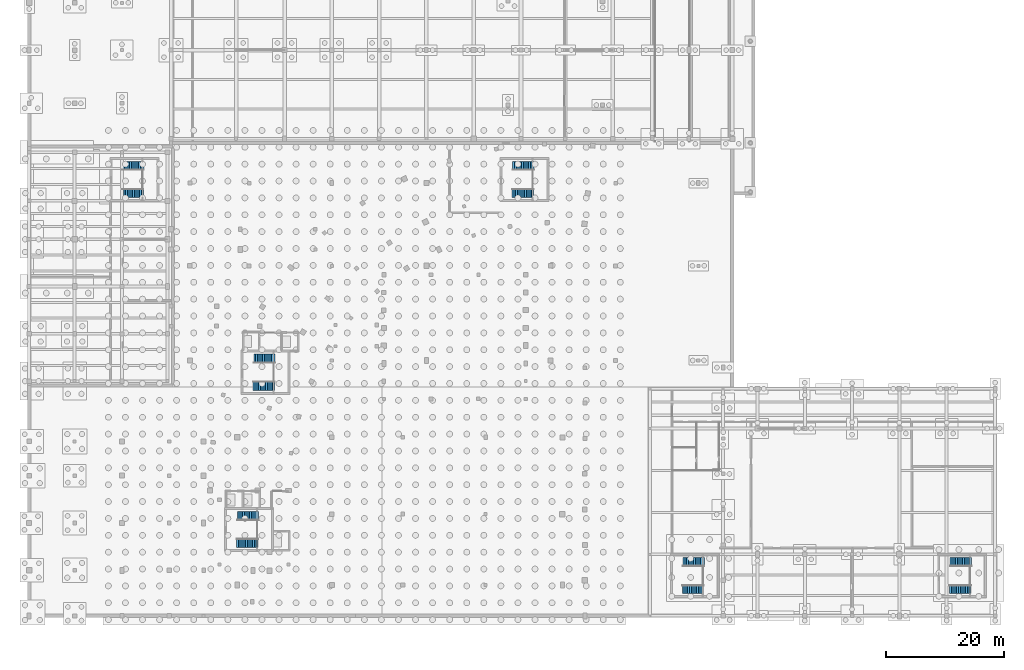
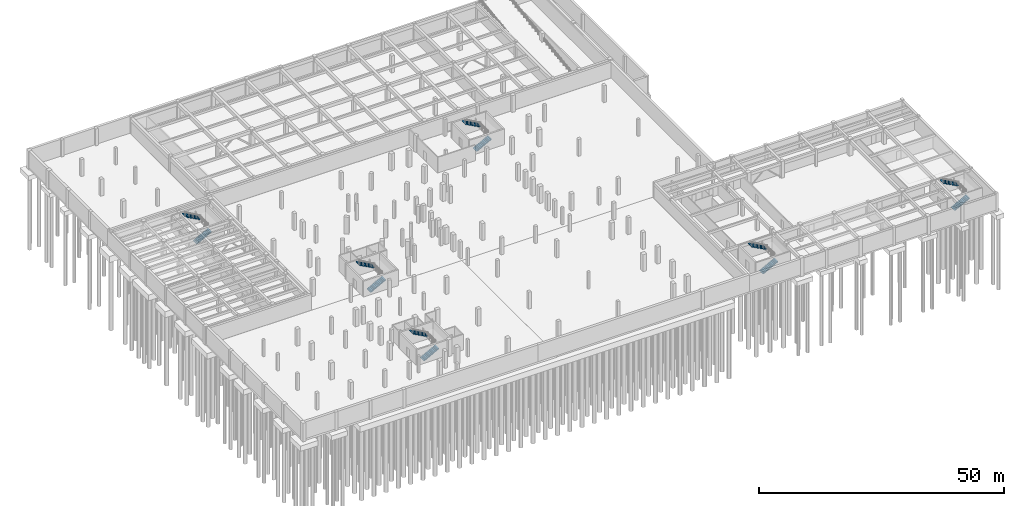
# One storey, part 30 of 36: 12 stair flights, 6 elements without a shape of their own.
"""IFC4 building model written with IfcOpenShell, lengths in metres."""

from ifc_helpers import new_model, si_unit, direction, frame, origin, place, context, subcontext, project, spatial, polyline, outline, extrude, material, type_object, element, aggregate, save


model = new_model("IFC4")

# Units and contexts
model_context = context("Model", 3, precision=1e-05, world=origin(), true_north=direction((0.0, 1.0)))
body_context = subcontext(model_context, "Body", "Model", "MODEL_VIEW")
ifc_project = project(units=[si_unit("LENGTHUNIT", "METRE"), si_unit("AREAUNIT", "SQUARE_METRE"), si_unit("VOLUMEUNIT", "CUBIC_METRE"), si_unit("PLANEANGLEUNIT", "RADIAN"), si_unit("MASSUNIT", "GRAM", prefix="KILO"), si_unit("THERMODYNAMICTEMPERATUREUNIT", "KELVIN"), si_unit("POWERUNIT", "WATT")], contexts=[model_context])

# Site, building, storey
site_placement = place(None, origin())
site = spatial("IfcSite", under=ifc_project, at=site_placement, CompositionType="ELEMENT")
building_placement = place(site_placement, origin())
building = spatial("IfcBuilding", under=site, at=building_placement, Name="Solvatero Civic Police Headquarters", CompositionType="ELEMENT")
storey_placement = place(building_placement, frame((0.0, 0.0, -8.39990234375)))
storey = spatial("IfcBuildingStorey", under=building, at=storey_placement, Name="B02", CompositionType="ELEMENT", Elevation=-8.39990234375)

# Stair, stair flights
ifc_material = material(Name="Precast concrete C40/50", Category="concrete")
stair_type_1 = type_object("IfcStairType", Name="STR-C145-420", PredefinedType="HALF_TURN_STAIR", material=ifc_material)
stair_1_placement = place(storey_placement, origin())
stair_1 = element("IfcStair", 1, at=stair_1_placement, inside=storey, type_object=stair_type_1, Name="Protected Exit Stair ST-C3 (B02 to B01)", PredefinedType="HALF_TURN_STAIR")
stair_flight_type_1 = type_object("IfcStairFlightType", Name="SFL-STR-C145-420", PredefinedType="STRAIGHT", material=ifc_material)
stair_flight_1_placement = place(storey_placement, frame((86.5, 76.27490234375, 0.0), z_axis=(0.0, 0.0, 1.0), x_axis=(1.0, 0.0, 0.0)))
stair_flight_1 = element("IfcStairFlight", 2, at=stair_flight_1_placement, type_object=stair_flight_type_1, Name="ST-C3 B02 Flight 1", NumberOfRisers=13, NumberOfTreads=12, PredefinedType="STRAIGHT", RiserHeight=0.161538, TreadLength=0.3, context=body_context, shape_type="SweptSolid", body=[
    extrude(outline(polyline([(0.0, 0.0), (0.0, 0.16162109375), (0.300048828125, 0.16162109375), (0.300048828125, 0.322998046875), (0.60009765625, 0.322998046875), (0.60009765625, 0.484619140625), (0.89990234375, 0.484619140625), (0.89990234375, 0.646240234375), (1.199951171875, 0.646240234375), (1.199951171875, 0.8076171875), (1.5, 0.8076171875), (1.5, 0.96923828125), (1.800048828125, 0.96923828125), (1.800048828125, 1.130859375), (2.10009765625, 1.130859375), (2.10009765625, 1.292236328125), (2.39990234375, 1.292236328125), (2.39990234375, 1.453857421875), (2.699951171875, 1.453857421875), (2.699951171875, 1.615478515625), (3.0, 1.615478515625), (3.0, 1.77685546875), (3.300048828125, 1.77685546875), (3.300048828125, 1.9384765625), (3.60009765625, 1.9384765625), (3.60009765625, 2.10009765625), (3.60009765625, 1.7568359375), (0.33740234375, 0.0), (0.0, 0.0)])), frame((0.0, 0.72509765625, 0.0), z_axis=(0.0, -1.0, 0.0), x_axis=(1.0, 0.0, 0.0)), (0.0, 0.0, 1.0), 1.449951171875),
])
stair_flight_2_placement = place(storey_placement, frame((90.199951171875, 80.925048828125, 2.099853515625), z_axis=(0.0, 0.0, 1.0), x_axis=(-1.0, 0.0, 0.0)))
stair_flight_2 = element("IfcStairFlight", 3, at=stair_flight_2_placement, type_object=stair_flight_type_1, Name="ST-C3 B02 Flight 2", NumberOfRisers=13, NumberOfTreads=12, PredefinedType="STRAIGHT", RiserHeight=0.161538, TreadLength=0.3, context=body_context, shape_type="SweptSolid", body=[
    extrude(outline(polyline([(0.0, 0.0), (0.0, 0.16162109375), (0.300048828125, 0.16162109375), (0.300048828125, 0.322998046875), (0.60009765625, 0.322998046875), (0.60009765625, 0.484619140625), (0.89990234375, 0.484619140625), (0.89990234375, 0.646240234375), (1.199951171875, 0.646240234375), (1.199951171875, 0.8076171875), (1.5, 0.8076171875), (1.5, 0.96923828125), (1.800048828125, 0.96923828125), (1.800048828125, 1.130859375), (2.10009765625, 1.130859375), (2.10009765625, 1.292236328125), (2.39990234375, 1.292236328125), (2.39990234375, 1.453857421875), (2.699951171875, 1.453857421875), (2.699951171875, 1.615478515625), (3.0, 1.615478515625), (3.0, 1.77685546875), (3.300048828125, 1.77685546875), (3.300048828125, 1.9384765625), (3.60009765625, 1.9384765625), (3.60009765625, 2.10009765625), (3.60009765625, 1.7568359375), (0.33740234375, 0.0), (0.0, 0.0)])), frame((0.0, 0.72509765625, 0.0), z_axis=(0.0, -1.0, 0.0), x_axis=(1.0, 0.0, 0.0)), (0.0, 0.0, 1.0), 1.449951171875),
])
aggregate(stair_1, [stair_flight_1, stair_flight_2])

stair_2_placement = place(storey_placement, origin())
stair_2 = element("IfcStair", 4, at=stair_2_placement, inside=storey, type_object=stair_type_1, Name="Protected Exit Stair ST-C4 (B02 to B01)", PredefinedType="HALF_TURN_STAIR")
stair_flight_3_placement = place(storey_placement, frame((20.5, 76.27490234375, 0.0), z_axis=(0.0, 0.0, 1.0), x_axis=(1.0, 0.0, 0.0)))
stair_flight_3 = element("IfcStairFlight", 5, at=stair_flight_3_placement, type_object=stair_flight_type_1, Name="ST-C4 B02 Flight 1", NumberOfRisers=13, NumberOfTreads=12, PredefinedType="STRAIGHT", RiserHeight=0.161538, TreadLength=0.3, context=body_context, shape_type="SweptSolid", body=[
    extrude(outline(polyline([(0.0, 0.0), (0.0, 0.16162109375), (0.300048828125, 0.16162109375), (0.300048828125, 0.322998046875), (0.60009765625, 0.322998046875), (0.60009765625, 0.484619140625), (0.89990234375, 0.484619140625), (0.89990234375, 0.646240234375), (1.199951171875, 0.646240234375), (1.199951171875, 0.8076171875), (1.5, 0.8076171875), (1.5, 0.96923828125), (1.800048828125, 0.96923828125), (1.800048828125, 1.130859375), (2.10009765625, 1.130859375), (2.10009765625, 1.292236328125), (2.39990234375, 1.292236328125), (2.39990234375, 1.453857421875), (2.699951171875, 1.453857421875), (2.699951171875, 1.615478515625), (3.0, 1.615478515625), (3.0, 1.77685546875), (3.300048828125, 1.77685546875), (3.300048828125, 1.9384765625), (3.60009765625, 1.9384765625), (3.60009765625, 2.10009765625), (3.60009765625, 1.7568359375), (0.33740234375, 0.0), (0.0, 0.0)])), frame((0.0, 0.72509765625, 0.0), z_axis=(0.0, -1.0, 0.0), x_axis=(1.0, 0.0, 0.0)), (0.0, 0.0, 1.0), 1.449951171875),
])
stair_flight_4_placement = place(storey_placement, frame((24.199951171875, 80.925048828125, 2.099853515625), z_axis=(0.0, 0.0, 1.0), x_axis=(-1.0, 0.0, 0.0)))
stair_flight_4 = element("IfcStairFlight", 6, at=stair_flight_4_placement, type_object=stair_flight_type_1, Name="ST-C4 B02 Flight 2", NumberOfRisers=13, NumberOfTreads=12, PredefinedType="STRAIGHT", RiserHeight=0.161538, TreadLength=0.3, context=body_context, shape_type="SweptSolid", body=[
    extrude(outline(polyline([(0.0, 0.0), (0.0, 0.16162109375), (0.300048828125, 0.16162109375), (0.300048828125, 0.322998046875), (0.60009765625, 0.322998046875), (0.60009765625, 0.484619140625), (0.89990234375, 0.484619140625), (0.89990234375, 0.646240234375), (1.199951171875, 0.646240234375), (1.199951171875, 0.8076171875), (1.5, 0.8076171875), (1.5, 0.96923828125), (1.800048828125, 0.96923828125), (1.800048828125, 1.130859375), (2.10009765625, 1.130859375), (2.10009765625, 1.292236328125), (2.39990234375, 1.292236328125), (2.39990234375, 1.453857421875), (2.699951171875, 1.453857421875), (2.699951171875, 1.615478515625), (3.0, 1.615478515625), (3.0, 1.77685546875), (3.300048828125, 1.77685546875), (3.300048828125, 1.9384765625), (3.60009765625, 1.9384765625), (3.60009765625, 2.10009765625), (3.60009765625, 1.7568359375), (0.33740234375, 0.0), (0.0, 0.0)])), frame((0.0, 0.72509765625, 0.0), z_axis=(0.0, -1.0, 0.0), x_axis=(1.0, 0.0, 0.0)), (0.0, 0.0, 1.0), 1.449951171875),
])
aggregate(stair_2, [stair_flight_3, stair_flight_4])

stair_3_placement = place(storey_placement, origin())
stair_3 = element("IfcStair", 7, at=stair_3_placement, inside=storey, type_object=stair_type_1, Name="Protected Exit Stair ST-C5 (B02 to B01)", PredefinedType="HALF_TURN_STAIR")
stair_flight_5_placement = place(storey_placement, frame((115.300048828125, 9.27490234375, 0.0), z_axis=(0.0, 0.0, 1.0), x_axis=(1.0, 0.0, 0.0)))
stair_flight_5 = element("IfcStairFlight", 8, at=stair_flight_5_placement, type_object=stair_flight_type_1, Name="ST-C5 B02 Flight 1", NumberOfRisers=13, NumberOfTreads=12, PredefinedType="STRAIGHT", RiserHeight=0.161538, TreadLength=0.3, context=body_context, shape_type="SweptSolid", body=[
    extrude(outline(polyline([(0.0, 0.0), (0.0, 0.16162109375), (0.300048828125, 0.16162109375), (0.300048828125, 0.322998046875), (0.60009765625, 0.322998046875), (0.60009765625, 0.484619140625), (0.89990234375, 0.484619140625), (0.89990234375, 0.646240234375), (1.199951171875, 0.646240234375), (1.199951171875, 0.8076171875), (1.5, 0.8076171875), (1.5, 0.96923828125), (1.800048828125, 0.96923828125), (1.800048828125, 1.130859375), (2.10009765625, 1.130859375), (2.10009765625, 1.292236328125), (2.39990234375, 1.292236328125), (2.39990234375, 1.453857421875), (2.699951171875, 1.453857421875), (2.699951171875, 1.615478515625), (3.0, 1.615478515625), (3.0, 1.77685546875), (3.300048828125, 1.77685546875), (3.300048828125, 1.9384765625), (3.60009765625, 1.9384765625), (3.60009765625, 2.10009765625), (3.60009765625, 1.7568359375), (0.33740234375, 0.0), (0.0, 0.0)])), frame((0.0, 0.72509765625, 0.0), z_axis=(0.0, -1.0, 0.0), x_axis=(1.0, 0.0, 0.0)), (0.0, 0.0, 1.0), 1.449951171875),
])
stair_flight_6_placement = place(storey_placement, frame((119.0, 13.925048828125, 2.099853515625), z_axis=(0.0, 0.0, 1.0), x_axis=(-1.0, 0.0, 0.0)))
stair_flight_6 = element("IfcStairFlight", 9, at=stair_flight_6_placement, type_object=stair_flight_type_1, Name="ST-C5 B02 Flight 2", NumberOfRisers=13, NumberOfTreads=12, PredefinedType="STRAIGHT", RiserHeight=0.161538, TreadLength=0.3, context=body_context, shape_type="SweptSolid", body=[
    extrude(outline(polyline([(0.0, 0.0), (0.0, 0.16162109375), (0.300048828125, 0.16162109375), (0.300048828125, 0.322998046875), (0.60009765625, 0.322998046875), (0.60009765625, 0.484619140625), (0.89990234375, 0.484619140625), (0.89990234375, 0.646240234375), (1.199951171875, 0.646240234375), (1.199951171875, 0.8076171875), (1.5, 0.8076171875), (1.5, 0.96923828125), (1.800048828125, 0.96923828125), (1.800048828125, 1.130859375), (2.10009765625, 1.130859375), (2.10009765625, 1.292236328125), (2.39990234375, 1.292236328125), (2.39990234375, 1.453857421875), (2.699951171875, 1.453857421875), (2.699951171875, 1.615478515625), (3.0, 1.615478515625), (3.0, 1.77685546875), (3.300048828125, 1.77685546875), (3.300048828125, 1.9384765625), (3.60009765625, 1.9384765625), (3.60009765625, 2.10009765625), (3.60009765625, 1.7568359375), (0.33740234375, 0.0), (0.0, 0.0)])), frame((0.0, 0.72509765625, 0.0), z_axis=(0.0, -1.0, 0.0), x_axis=(1.0, 0.0, 0.0)), (0.0, 0.0, 1.0), 1.449951171875),
])
aggregate(stair_3, [stair_flight_5, stair_flight_6])

stair_4_placement = place(storey_placement, origin())
stair_4 = element("IfcStair", 10, at=stair_4_placement, inside=storey, type_object=stair_type_1, Name="Protected Exit Stair ST-C6 (B02 to B01)", PredefinedType="HALF_TURN_STAIR")
stair_flight_7_placement = place(storey_placement, frame((160.5, 9.27490234375, 0.0), z_axis=(0.0, 0.0, 1.0), x_axis=(1.0, 0.0, 0.0)))
stair_flight_7 = element("IfcStairFlight", 11, at=stair_flight_7_placement, type_object=stair_flight_type_1, Name="ST-C6 B02 Flight 1", NumberOfRisers=13, NumberOfTreads=12, PredefinedType="STRAIGHT", RiserHeight=0.161538, TreadLength=0.3, context=body_context, shape_type="SweptSolid", body=[
    extrude(outline(polyline([(0.0, 0.0), (0.0, 0.16162109375), (0.300048828125, 0.16162109375), (0.300048828125, 0.322998046875), (0.60009765625, 0.322998046875), (0.60009765625, 0.484619140625), (0.89990234375, 0.484619140625), (0.89990234375, 0.646240234375), (1.199951171875, 0.646240234375), (1.199951171875, 0.8076171875), (1.5, 0.8076171875), (1.5, 0.96923828125), (1.800048828125, 0.96923828125), (1.800048828125, 1.130859375), (2.10009765625, 1.130859375), (2.10009765625, 1.292236328125), (2.39990234375, 1.292236328125), (2.39990234375, 1.453857421875), (2.699951171875, 1.453857421875), (2.699951171875, 1.615478515625), (3.0, 1.615478515625), (3.0, 1.77685546875), (3.300048828125, 1.77685546875), (3.300048828125, 1.9384765625), (3.60009765625, 1.9384765625), (3.60009765625, 2.10009765625), (3.60009765625, 1.7568359375), (0.33740234375, 0.0), (0.0, 0.0)])), frame((0.0, 0.72509765625, 0.0), z_axis=(0.0, -1.0, 0.0), x_axis=(1.0, 0.0, 0.0)), (0.0, 0.0, 1.0), 1.449951171875),
])
stair_flight_8_placement = place(storey_placement, frame((164.199951171875, 13.925048828125, 2.099853515625), z_axis=(0.0, 0.0, 1.0), x_axis=(-1.0, 0.0, 0.0)))
stair_flight_8 = element("IfcStairFlight", 12, at=stair_flight_8_placement, type_object=stair_flight_type_1, Name="ST-C6 B02 Flight 2", NumberOfRisers=13, NumberOfTreads=12, PredefinedType="STRAIGHT", RiserHeight=0.161538, TreadLength=0.3, context=body_context, shape_type="SweptSolid", body=[
    extrude(outline(polyline([(0.0, 0.0), (0.0, 0.16162109375), (0.300048828125, 0.16162109375), (0.300048828125, 0.322998046875), (0.60009765625, 0.322998046875), (0.60009765625, 0.484619140625), (0.89990234375, 0.484619140625), (0.89990234375, 0.646240234375), (1.199951171875, 0.646240234375), (1.199951171875, 0.8076171875), (1.5, 0.8076171875), (1.5, 0.96923828125), (1.800048828125, 0.96923828125), (1.800048828125, 1.130859375), (2.10009765625, 1.130859375), (2.10009765625, 1.292236328125), (2.39990234375, 1.292236328125), (2.39990234375, 1.453857421875), (2.699951171875, 1.453857421875), (2.699951171875, 1.615478515625), (3.0, 1.615478515625), (3.0, 1.77685546875), (3.300048828125, 1.77685546875), (3.300048828125, 1.9384765625), (3.60009765625, 1.9384765625), (3.60009765625, 2.10009765625), (3.60009765625, 1.7568359375), (0.33740234375, 0.0), (0.0, 0.0)])), frame((0.0, 0.72509765625, 0.0), z_axis=(0.0, -1.0, 0.0), x_axis=(1.0, 0.0, 0.0)), (0.0, 0.0, 1.0), 1.449951171875),
])
aggregate(stair_4, [stair_flight_7, stair_flight_8])

stair_type_2 = type_object("IfcStairType", Name="STR-C150-420", PredefinedType="HALF_TURN_STAIR", material=ifc_material)
stair_5_placement = place(storey_placement, origin())
stair_5 = element("IfcStair", 13, at=stair_5_placement, inside=storey, type_object=stair_type_2, Name="Protected Exit Stair ST-C1 (B02 to B01)", PredefinedType="HALF_TURN_STAIR")
stair_flight_type_2 = type_object("IfcStairFlightType", Name="SFL-STR-C150-420", PredefinedType="STRAIGHT", material=ifc_material)
stair_flight_9_placement = place(storey_placement, frame((39.89990234375, 17.10009765625, 0.0), z_axis=(0.0, 0.0, 1.0), x_axis=(1.0, 0.0, 0.0)))
stair_flight_9 = element("IfcStairFlight", 14, at=stair_flight_9_placement, type_object=stair_flight_type_2, Name="ST-C1 B02 Flight 1", NumberOfRisers=13, NumberOfTreads=12, PredefinedType="STRAIGHT", RiserHeight=0.161538, TreadLength=0.3, context=body_context, shape_type="SweptSolid", body=[
    extrude(outline(polyline([(0.0, 0.0), (0.0, 0.16162109375), (0.300048828125, 0.16162109375), (0.300048828125, 0.322998046875), (0.60009765625, 0.322998046875), (0.60009765625, 0.484619140625), (0.89990234375, 0.484619140625), (0.89990234375, 0.646240234375), (1.199951171875, 0.646240234375), (1.199951171875, 0.8076171875), (1.5, 0.8076171875), (1.5, 0.96923828125), (1.800048828125, 0.96923828125), (1.800048828125, 1.130859375), (2.10009765625, 1.130859375), (2.10009765625, 1.292236328125), (2.39990234375, 1.292236328125), (2.39990234375, 1.453857421875), (2.699951171875, 1.453857421875), (2.699951171875, 1.615478515625), (3.0, 1.615478515625), (3.0, 1.77685546875), (3.300048828125, 1.77685546875), (3.300048828125, 1.9384765625), (3.60009765625, 1.9384765625), (3.60009765625, 2.10009765625), (3.60009765625, 1.7568359375), (0.33740234375, 0.0), (0.0, 0.0)])), frame((0.0, 0.75, 0.0), z_axis=(0.0, -1.0, 0.0), x_axis=(1.0, 0.0, 0.0)), (0.0, 0.0, 1.0), 1.5),
])
stair_flight_10_placement = place(storey_placement, frame((43.60009765625, 21.699951171875, 2.099853515625), z_axis=(0.0, 0.0, 1.0), x_axis=(-1.0, 0.0, 0.0)))
stair_flight_10 = element("IfcStairFlight", 15, at=stair_flight_10_placement, type_object=stair_flight_type_2, Name="ST-C1 B02 Flight 2", NumberOfRisers=13, NumberOfTreads=12, PredefinedType="STRAIGHT", RiserHeight=0.161538, TreadLength=0.3, context=body_context, shape_type="SweptSolid", body=[
    extrude(outline(polyline([(0.0, 0.0), (0.0, 0.16162109375), (0.300048828125, 0.16162109375), (0.300048828125, 0.322998046875), (0.60009765625, 0.322998046875), (0.60009765625, 0.484619140625), (0.89990234375, 0.484619140625), (0.89990234375, 0.646240234375), (1.199951171875, 0.646240234375), (1.199951171875, 0.8076171875), (1.5, 0.8076171875), (1.5, 0.96923828125), (1.800048828125, 0.96923828125), (1.800048828125, 1.130859375), (2.10009765625, 1.130859375), (2.10009765625, 1.292236328125), (2.39990234375, 1.292236328125), (2.39990234375, 1.453857421875), (2.699951171875, 1.453857421875), (2.699951171875, 1.615478515625), (3.0, 1.615478515625), (3.0, 1.77685546875), (3.300048828125, 1.77685546875), (3.300048828125, 1.9384765625), (3.60009765625, 1.9384765625), (3.60009765625, 2.10009765625), (3.60009765625, 1.7568359375), (0.33740234375, 0.0), (0.0, 0.0)])), frame((0.0, 0.75, 0.0), z_axis=(0.0, -1.0, 0.0), x_axis=(1.0, 0.0, 0.0)), (0.0, 0.0, 1.0), 1.5),
])
aggregate(stair_5, [stair_flight_9, stair_flight_10])

stair_6_placement = place(storey_placement, origin())
stair_6 = element("IfcStair", 16, at=stair_6_placement, inside=storey, type_object=stair_type_2, Name="Protected Exit Stair ST-C2 (B02 to B01)", PredefinedType="HALF_TURN_STAIR")
stair_flight_11_placement = place(storey_placement, frame((42.699951171875, 43.699951171875, 0.0), z_axis=(0.0, 0.0, 1.0), x_axis=(1.0, 0.0, 0.0)))
stair_flight_11 = element("IfcStairFlight", 17, at=stair_flight_11_placement, type_object=stair_flight_type_2, Name="ST-C2 B02 Flight 1", NumberOfRisers=13, NumberOfTreads=12, PredefinedType="STRAIGHT", RiserHeight=0.161538, TreadLength=0.3, context=body_context, shape_type="SweptSolid", body=[
    extrude(outline(polyline([(0.0, 0.0), (0.0, 0.16162109375), (0.300048828125, 0.16162109375), (0.300048828125, 0.322998046875), (0.60009765625, 0.322998046875), (0.60009765625, 0.484619140625), (0.89990234375, 0.484619140625), (0.89990234375, 0.646240234375), (1.199951171875, 0.646240234375), (1.199951171875, 0.8076171875), (1.5, 0.8076171875), (1.5, 0.96923828125), (1.800048828125, 0.96923828125), (1.800048828125, 1.130859375), (2.10009765625, 1.130859375), (2.10009765625, 1.292236328125), (2.39990234375, 1.292236328125), (2.39990234375, 1.453857421875), (2.699951171875, 1.453857421875), (2.699951171875, 1.615478515625), (3.0, 1.615478515625), (3.0, 1.77685546875), (3.300048828125, 1.77685546875), (3.300048828125, 1.9384765625), (3.60009765625, 1.9384765625), (3.60009765625, 2.10009765625), (3.60009765625, 1.7568359375), (0.33740234375, 0.0), (0.0, 0.0)])), frame((0.0, 0.75, 0.0), z_axis=(0.0, -1.0, 0.0), x_axis=(1.0, 0.0, 0.0)), (0.0, 0.0, 1.0), 1.5),
])
stair_flight_12_placement = place(storey_placement, frame((46.39990234375, 48.300048828125, 2.099853515625), z_axis=(0.0, 0.0, 1.0), x_axis=(-1.0, 0.0, 0.0)))
stair_flight_12 = element("IfcStairFlight", 18, at=stair_flight_12_placement, type_object=stair_flight_type_2, Name="ST-C2 B02 Flight 2", NumberOfRisers=13, NumberOfTreads=12, PredefinedType="STRAIGHT", RiserHeight=0.161538, TreadLength=0.3, context=body_context, shape_type="SweptSolid", body=[
    extrude(outline(polyline([(0.0, 0.0), (0.0, 0.16162109375), (0.300048828125, 0.16162109375), (0.300048828125, 0.322998046875), (0.60009765625, 0.322998046875), (0.60009765625, 0.484619140625), (0.89990234375, 0.484619140625), (0.89990234375, 0.646240234375), (1.199951171875, 0.646240234375), (1.199951171875, 0.8076171875), (1.5, 0.8076171875), (1.5, 0.96923828125), (1.800048828125, 0.96923828125), (1.800048828125, 1.130859375), (2.10009765625, 1.130859375), (2.10009765625, 1.292236328125), (2.39990234375, 1.292236328125), (2.39990234375, 1.453857421875), (2.699951171875, 1.453857421875), (2.699951171875, 1.615478515625), (3.0, 1.615478515625), (3.0, 1.77685546875), (3.300048828125, 1.77685546875), (3.300048828125, 1.9384765625), (3.60009765625, 1.9384765625), (3.60009765625, 2.10009765625), (3.60009765625, 1.7568359375), (0.33740234375, 0.0), (0.0, 0.0)])), frame((0.0, 0.75, 0.0), z_axis=(0.0, -1.0, 0.0), x_axis=(1.0, 0.0, 0.0)), (0.0, 0.0, 1.0), 1.5),
])
aggregate(stair_6, [stair_flight_11, stair_flight_12])

save(model, "model.ifc")
